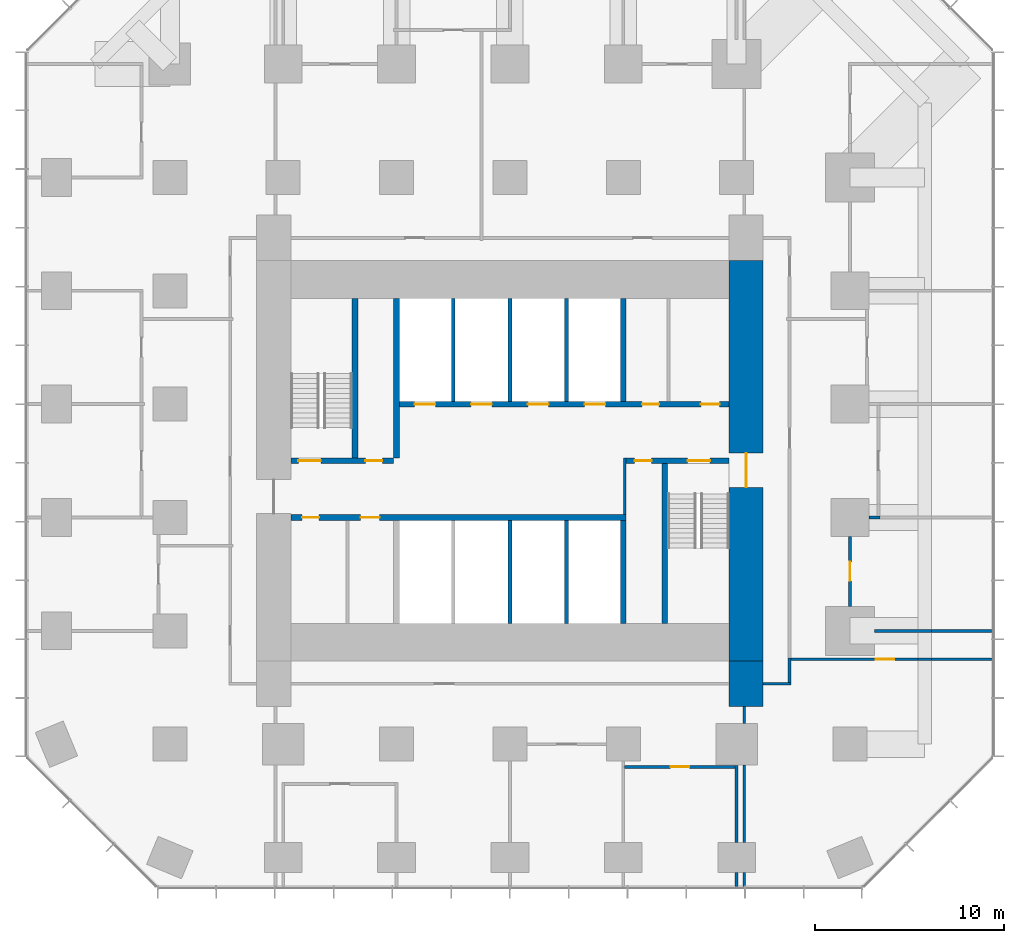
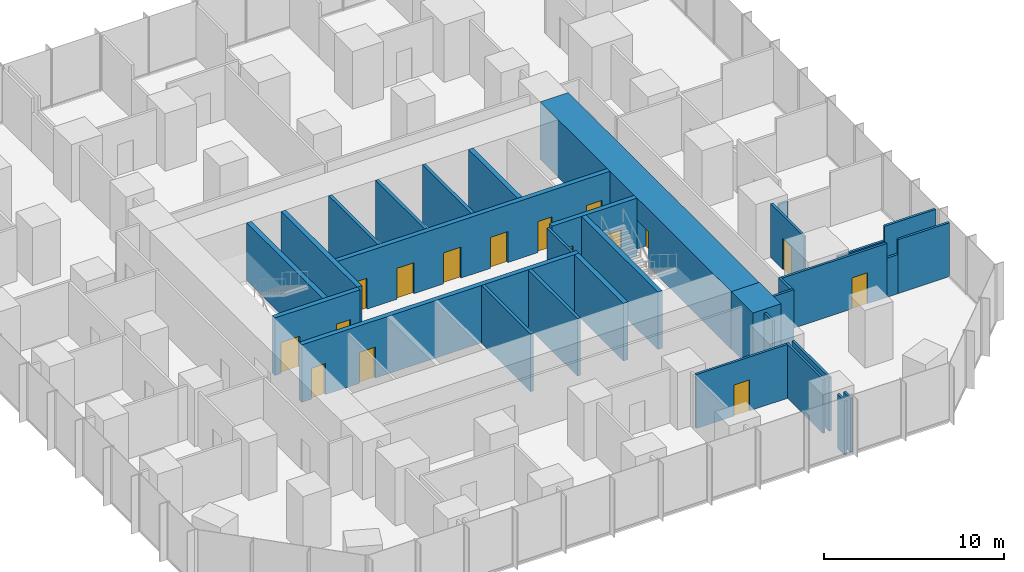
# One storey, part 9 of 12: 32 walls, 16 doors, 16 openings.
"""IFC4 building model written with IfcOpenShell, lengths in metres."""

from ifc_helpers import new_model, si_unit, direction, frame, frame_2d, origin, place, context, subcontext, project, spatial, rectangle, extrude, material, layer, layer_set, type_object, element, fill, save


model = new_model("IFC4")

# Units and contexts
model_context = context("Model", 3, precision=1e-05, world=origin(), true_north=direction((0.0, 1.0)))
body_context = subcontext(model_context, "Body", "Model", "MODEL_VIEW")
ifc_project = project(units=[si_unit("LENGTHUNIT", "METRE"), si_unit("AREAUNIT", "SQUARE_METRE"), si_unit("VOLUMEUNIT", "CUBIC_METRE"), si_unit("PLANEANGLEUNIT", "RADIAN"), si_unit("MASSUNIT", "GRAM", prefix="KILO")], contexts=[model_context])

# Site, building, storey
site_placement = place(None, origin())
site = spatial("IfcSite", under=ifc_project, at=site_placement, CompositionType="ELEMENT")
building_placement = place(site_placement, origin())
building = spatial("IfcBuilding", under=site, at=building_placement, Name="Highveld Stack Headquarters", CompositionType="ELEMENT")
storey_placement = place(building_placement, frame((0.0, 0.0, 68.89990234375)))
storey = spatial("IfcBuildingStorey", under=building, at=storey_placement, Name="L16", CompositionType="ELEMENT", Elevation=68.89990234375)

# Wall, opening, door
ifc_material_1 = material(Name="Concrete C60/75", Category="concrete")
ifc_layer_1 = layer(ifc_material_1, 1.800048828125)
ifc_layer_set_1 = layer_set([ifc_layer_1], Name="Concrete C60/75")
wall_type_1 = type_object("IfcWallType", Name="CORE WALL 1800 C60/75", PredefinedType="SHEAR", material=ifc_layer_set_1)
wall_1_placement = place(storey_placement, frame((18.5, -7.60009765625, 0.0), z_axis=(0.0, 0.0, 1.0), x_axis=(0.0, 1.0, 0.0)))
wall_1 = element("IfcWall", 1, at=wall_1_placement, inside=storey, type_object=wall_type_1, Name="Core wall E L16", PredefinedType="SHEAR", context=body_context, shape_type="SweptSolid", body=[
    extrude(rectangle(XDim=21.2001953125, YDim=1.800048828125, at=frame_2d((10.60009765625, 0.0))), origin(), (0.0, 0.0, 1.0), 3.900146484375),
])
opening_1_placement = place(wall_1_placement, frame((9.199951171875, 0.0, 0.0)))
opening_1 = element("IfcOpeningElement", 2, at=opening_1_placement, cuts=wall_1, Name="Opening L16-02", PredefinedType="OPENING", context=body_context, shape_type="SweptSolid", body=[
    extrude(rectangle(XDim=1.800048828125, YDim=2.39990234375, at=frame_2d((0.89990234375, 1.199951171875))), frame((0.0, 0.909912109375, 0.0), z_axis=(0.0, -1.0, 0.0), x_axis=(1.0, 0.0, 0.0)), (0.0, 0.0, 1.0), 1.820068359375),
])
ifc_material_2 = material(Name="Steel fire door", Category="steel")
door_type_1 = type_object("IfcDoorType", Name="LOBBY FIRE DOOR D4 1800x2400", OperationType="DOUBLE_DOOR_SINGLE_SWING", PredefinedType="DOOR", material=ifc_material_2)
door_1_placement = place(opening_1_placement, origin())
door_1 = element("IfcDoor", 3, at=door_1_placement, inside=storey, type_object=door_type_1, Name="Core east door L16", OperationType="DOUBLE_DOOR_SINGLE_SWING", OverallHeight=2.39990234375, OverallWidth=1.800048828125, PredefinedType="DOOR", context=body_context, shape_type="SweptSolid", body=[
    extrude(rectangle(XDim=1.800048828125, YDim=2.39990234375, at=frame_2d((0.89990234375, 1.199951171875))), frame((0.0, 0.02490234375, 0.0), z_axis=(0.0, -1.0, 0.0), x_axis=(1.0, 0.0, 0.0)), (0.0, 0.0, 1.0), 0.050048828125),
])
fill(opening_1, door_1)

# Wall, openings, doors
ifc_material_3 = material(Name="Concrete C60/75", Category="concrete")
ifc_layer_2 = layer(ifc_material_3, 0.300048828125)
ifc_layer_set_2 = layer_set([ifc_layer_2], Name="Concrete C60/75")
wall_type_2 = type_object("IfcWallType", Name="CORE WALL 300 C60/75", PredefinedType="SHEAR", material=ifc_layer_set_2)
wall_2_placement = place(storey_placement, frame((-5.60009765625, 0.0, 0.0), z_axis=(0.0, 0.0, 1.0), x_axis=(1.0, 0.0, 0.0)))
wall_2 = element("IfcWall", 4, at=wall_2_placement, inside=storey, type_object=wall_type_2, Name="Core wall I-Y0 L16", PredefinedType="SHEAR", context=body_context, shape_type="SweptSolid", body=[
    extrude(rectangle(XDim=17.75, YDim=0.300048828125, at=frame_2d((8.875, 0.0))), origin(), (0.0, 0.0, 1.0), 3.900146484375),
])
opening_2_placement = place(wall_2_placement, frame((0.60009765625, 0.0, 0.0)))
opening_2 = element("IfcOpeningElement", 5, at=opening_2_placement, cuts=wall_2, Name="Opening L16-07", PredefinedType="OPENING", context=body_context, shape_type="SweptSolid", body=[
    extrude(rectangle(XDim=0.89990234375, YDim=2.10009765625, at=frame_2d((0.449951171875, 1.050048828125))), frame((0.0, 0.159912109375, 0.0), z_axis=(0.0, -1.0, 0.0), x_axis=(1.0, 0.0, 0.0)), (0.0, 0.0, 1.0), 0.320068359375),
])
opening_3_placement = place(wall_2_placement, frame((3.699951171875, 0.0, 0.0)))
opening_3 = element("IfcOpeningElement", 6, at=opening_3_placement, cuts=wall_2, Name="Opening L16-08", PredefinedType="OPENING", context=body_context, shape_type="SweptSolid", body=[
    extrude(rectangle(XDim=1.0, YDim=2.10009765625, at=frame_2d((0.5, 1.050048828125))), frame((0.0, 0.159912109375, 0.0), z_axis=(0.0, -1.0, 0.0), x_axis=(1.0, 0.0, 0.0)), (0.0, 0.0, 1.0), 0.320068359375),
])
ifc_material_4 = material(Name="Steel fire door", Category="steel")
door_type_2 = type_object("IfcDoorType", Name="CORE ROOM FIRE DOOR D14 1000x2100", OperationType="SINGLE_SWING_LEFT", PredefinedType="DOOR", material=ifc_material_4)
door_2_placement = place(opening_3_placement, origin())
door_2 = element("IfcDoor", 7, at=door_2_placement, inside=storey, type_object=door_type_2, Name="Cleaners store door L16", OperationType="SINGLE_SWING_LEFT", OverallHeight=2.10009765625, OverallWidth=1.0, PredefinedType="DOOR", context=body_context, shape_type="SweptSolid", body=[
    extrude(rectangle(XDim=1.0, YDim=2.10009765625, at=frame_2d((0.5, 1.050048828125))), frame((0.0, 0.02490234375, 0.0), z_axis=(0.0, -1.0, 0.0), x_axis=(1.0, 0.0, 0.0)), (0.0, 0.0, 1.0), 0.050048828125),
])
fill(opening_3, door_2)
ifc_material_5 = material(Name="Timber door, painted", Category="wood")
door_type_3 = type_object("IfcDoorType", Name="WC DOOR D1 900x2100", OperationType="SINGLE_SWING_LEFT", PredefinedType="DOOR", material=ifc_material_5)
door_3_placement = place(opening_2_placement, origin())
door_3 = element("IfcDoor", 8, at=door_3_placement, inside=storey, type_object=door_type_3, Name="Female WC door L16", OperationType="SINGLE_SWING_LEFT", OverallHeight=2.10009765625, OverallWidth=0.89990234375, PredefinedType="DOOR", context=body_context, shape_type="SweptSolid", body=[
    extrude(rectangle(XDim=0.89990234375, YDim=2.10009765625, at=frame_2d((0.449951171875, 1.050048828125))), frame((0.0, 0.02490234375, 0.0), z_axis=(0.0, -1.0, 0.0), x_axis=(1.0, 0.0, 0.0)), (0.0, 0.0, 1.0), 0.050048828125),
])
fill(opening_2, door_3)

wall_3_placement = place(storey_placement, frame((-5.60009765625, 3.0, 0.0), z_axis=(0.0, 0.0, 1.0), x_axis=(1.0, 0.0, 0.0)))
wall_3 = element("IfcWall", 9, at=wall_3_placement, inside=storey, type_object=wall_type_2, Name="Core wall I-Y3W L16", PredefinedType="SHEAR", context=body_context, shape_type="SweptSolid", body=[
    extrude(rectangle(XDim=5.4501953125, YDim=0.300048828125, at=frame_2d((2.72509765625, 0.0))), origin(), (0.0, 0.0, 1.0), 3.900146484375),
])
opening_4_placement = place(wall_3_placement, frame((0.39990234375, 0.0, 0.0)))
opening_4 = element("IfcOpeningElement", 10, at=opening_4_placement, cuts=wall_3, Name="Opening L16-03", PredefinedType="OPENING", context=body_context, shape_type="SweptSolid", body=[
    extrude(rectangle(XDim=1.199951171875, YDim=2.10009765625, at=frame_2d((0.60009765625, 1.050048828125))), frame((0.0, 0.159912109375, 0.0), z_axis=(0.0, -1.0, 0.0), x_axis=(1.0, 0.0, 0.0)), (0.0, 0.0, 1.0), 0.320068359375),
])
opening_5_placement = place(wall_3_placement, frame((3.949951171875, 0.0, 0.0)))
opening_5 = element("IfcOpeningElement", 11, at=opening_5_placement, cuts=wall_3, Name="Opening L16-04", PredefinedType="OPENING", context=body_context, shape_type="SweptSolid", body=[
    extrude(rectangle(XDim=0.89990234375, YDim=2.10009765625, at=frame_2d((0.449951171875, 1.050048828125))), frame((0.0, 0.159912109375, 0.0), z_axis=(0.0, -1.0, 0.0), x_axis=(1.0, 0.0, 0.0)), (0.0, 0.0, 1.0), 0.320068359375),
])
ifc_material_6 = material(Name="Steel fire door", Category="steel")
door_type_4 = type_object("IfcDoorType", Name="RISER ACCESS DOOR D5 900x2100", OperationType="SINGLE_SWING_LEFT", PredefinedType="DOOR", material=ifc_material_6)
door_4_placement = place(opening_5_placement, origin())
door_4 = element("IfcDoor", 12, at=door_4_placement, inside=storey, type_object=door_type_4, Name="Riser R1 door L16", OperationType="SINGLE_SWING_RIGHT", OverallHeight=2.10009765625, OverallWidth=0.89990234375, PredefinedType="DOOR", context=body_context, shape_type="SweptSolid", body=[
    extrude(rectangle(XDim=0.89990234375, YDim=2.10009765625, at=frame_2d((0.449951171875, 1.050048828125))), frame((0.0, 0.02490234375, 0.0), z_axis=(0.0, -1.0, 0.0), x_axis=(1.0, 0.0, 0.0)), (0.0, 0.0, 1.0), 0.050048828125),
])
fill(opening_5, door_4)
ifc_material_7 = material(Name="Steel fire door", Category="steel")
door_type_5 = type_object("IfcDoorType", Name="STAIR FIRE DOOR D3 1200x2100", OperationType="SINGLE_SWING_LEFT", PredefinedType="DOOR", material=ifc_material_7)
door_5_placement = place(opening_4_placement, origin())
door_5 = element("IfcDoor", 13, at=door_5_placement, inside=storey, type_object=door_type_5, Name="Stair S1 door L16", OperationType="SINGLE_SWING_LEFT", OverallHeight=2.10009765625, OverallWidth=1.199951171875, PredefinedType="DOOR", context=body_context, shape_type="SweptSolid", body=[
    extrude(rectangle(XDim=1.199951171875, YDim=2.10009765625, at=frame_2d((0.60009765625, 1.050048828125))), frame((0.0, 0.02490234375, 0.0), z_axis=(0.0, -1.0, 0.0), x_axis=(1.0, 0.0, 0.0)), (0.0, 0.0, 1.0), 0.050048828125),
])
fill(opening_4, door_5)

wall_4_placement = place(storey_placement, frame((12.14990234375, 3.0, 0.0), z_axis=(0.0, 0.0, 1.0), x_axis=(1.0, 0.0, 0.0)))
wall_4 = element("IfcWall", 14, at=wall_4_placement, inside=storey, type_object=wall_type_2, Name="Core wall I-Y3E L16", PredefinedType="SHEAR", context=body_context, shape_type="SweptSolid", body=[
    extrude(rectangle(XDim=5.4501953125, YDim=0.300048828125, at=frame_2d((2.72509765625, 0.0))), origin(), (0.0, 0.0, 1.0), 3.900146484375),
])
opening_6_placement = place(wall_4_placement, frame((3.25, 0.0, 0.0)))
opening_6 = element("IfcOpeningElement", 15, at=opening_6_placement, cuts=wall_4, Name="Opening L16-05", PredefinedType="OPENING", context=body_context, shape_type="SweptSolid", body=[
    extrude(rectangle(XDim=1.199951171875, YDim=2.10009765625, at=frame_2d((0.60009765625, 1.050048828125))), frame((0.0, 0.159912109375, 0.0), z_axis=(0.0, -1.0, 0.0), x_axis=(1.0, 0.0, 0.0)), (0.0, 0.0, 1.0), 0.320068359375),
])
opening_7_placement = place(wall_4_placement, frame((0.449951171875, 0.0, 0.0)))
opening_7 = element("IfcOpeningElement", 16, at=opening_7_placement, cuts=wall_4, Name="Opening L16-06", PredefinedType="OPENING", context=body_context, shape_type="SweptSolid", body=[
    extrude(rectangle(XDim=0.89990234375, YDim=2.10009765625, at=frame_2d((0.449951171875, 1.050048828125))), frame((0.0, 0.159912109375, 0.0), z_axis=(0.0, -1.0, 0.0), x_axis=(1.0, 0.0, 0.0)), (0.0, 0.0, 1.0), 0.320068359375),
])
door_6_placement = place(opening_7_placement, origin())
door_6 = element("IfcDoor", 17, at=door_6_placement, inside=storey, type_object=door_type_4, Name="Riser R2 door L16", OperationType="SINGLE_SWING_LEFT", OverallHeight=2.10009765625, OverallWidth=0.89990234375, PredefinedType="DOOR", context=body_context, shape_type="SweptSolid", body=[
    extrude(rectangle(XDim=0.89990234375, YDim=2.10009765625, at=frame_2d((0.449951171875, 1.050048828125))), frame((0.0, 0.02490234375, 0.0), z_axis=(0.0, -1.0, 0.0), x_axis=(1.0, 0.0, 0.0)), (0.0, 0.0, 1.0), 0.050048828125),
])
fill(opening_7, door_6)
door_7_placement = place(opening_6_placement, origin())
door_7 = element("IfcDoor", 18, at=door_7_placement, inside=storey, type_object=door_type_5, Name="Stair S2 door L16", OperationType="SINGLE_SWING_RIGHT", OverallHeight=2.10009765625, OverallWidth=1.199951171875, PredefinedType="DOOR", context=body_context, shape_type="SweptSolid", body=[
    extrude(rectangle(XDim=1.199951171875, YDim=2.10009765625, at=frame_2d((0.60009765625, 1.050048828125))), frame((0.0, 0.02490234375, 0.0), z_axis=(0.0, -1.0, 0.0), x_axis=(1.0, 0.0, 0.0)), (0.0, 0.0, 1.0), 0.050048828125),
])
fill(opening_6, door_7)

wall_5_placement = place(storey_placement, frame((-0.14990234375, 6.0, 0.0), z_axis=(0.0, 0.0, 1.0), x_axis=(1.0, 0.0, 0.0)))
wall_5 = element("IfcWall", 19, at=wall_5_placement, inside=storey, type_object=wall_type_2, Name="Core wall I-Y6 L16", PredefinedType="SHEAR", context=body_context, shape_type="SweptSolid", body=[
    extrude(rectangle(XDim=17.75, YDim=0.300048828125, at=frame_2d((8.875, 0.0))), origin(), (0.0, 0.0, 1.0), 3.900146484375),
])
opening_8_placement = place(wall_5_placement, frame((13.14990234375, 0.0, 0.0)))
opening_8 = element("IfcOpeningElement", 20, at=opening_8_placement, cuts=wall_5, Name="Opening L16-09", PredefinedType="OPENING", context=body_context, shape_type="SweptSolid", body=[
    extrude(rectangle(XDim=0.89990234375, YDim=2.10009765625, at=frame_2d((0.449951171875, 1.050048828125))), frame((0.0, 0.159912109375, 0.0), z_axis=(0.0, -1.0, 0.0), x_axis=(1.0, 0.0, 0.0)), (0.0, 0.0, 1.0), 0.320068359375),
])
opening_9_placement = place(wall_5_placement, frame((16.25, 0.0, 0.0)))
opening_9 = element("IfcOpeningElement", 21, at=opening_9_placement, cuts=wall_5, Name="Opening L16-10", PredefinedType="OPENING", context=body_context, shape_type="SweptSolid", body=[
    extrude(rectangle(XDim=1.0, YDim=2.10009765625, at=frame_2d((0.5, 1.050048828125))), frame((0.0, 0.159912109375, 0.0), z_axis=(0.0, -1.0, 0.0), x_axis=(1.0, 0.0, 0.0)), (0.0, 0.0, 1.0), 0.320068359375),
])
opening_10_placement = place(wall_5_placement, frame((1.10009765625, 0.0, 0.0)))
opening_10 = element("IfcOpeningElement", 22, at=opening_10_placement, cuts=wall_5, Name="Opening LD", PredefinedType="OPENING", context=body_context, shape_type="SweptSolid", body=[
    extrude(rectangle(XDim=1.10009765625, YDim=2.10009765625, at=frame_2d((0.550048828125, 1.050048828125))), frame((0.0, 0.159912109375, 0.0), z_axis=(0.0, -1.0, 0.0), x_axis=(1.0, 0.0, 0.0)), (0.0, 0.0, 1.0), 0.320068359375),
])
opening_11_placement = place(wall_5_placement, frame((4.10009765625, 0.0, 0.0)))
opening_11 = element("IfcOpeningElement", 23, at=opening_11_placement, cuts=wall_5, Name="Opening LD", PredefinedType="OPENING", context=body_context, shape_type="SweptSolid", body=[
    extrude(rectangle(XDim=1.10009765625, YDim=2.10009765625, at=frame_2d((0.550048828125, 1.050048828125))), frame((0.0, 0.159912109375, 0.0), z_axis=(0.0, -1.0, 0.0), x_axis=(1.0, 0.0, 0.0)), (0.0, 0.0, 1.0), 0.320068359375),
])
opening_12_placement = place(wall_5_placement, frame((7.10009765625, 0.0, 0.0)))
opening_12 = element("IfcOpeningElement", 24, at=opening_12_placement, cuts=wall_5, Name="Opening LD", PredefinedType="OPENING", context=body_context, shape_type="SweptSolid", body=[
    extrude(rectangle(XDim=1.10009765625, YDim=2.10009765625, at=frame_2d((0.550048828125, 1.050048828125))), frame((0.0, 0.159912109375, 0.0), z_axis=(0.0, -1.0, 0.0), x_axis=(1.0, 0.0, 0.0)), (0.0, 0.0, 1.0), 0.320068359375),
])
opening_13_placement = place(wall_5_placement, frame((10.10009765625, 0.0, 0.0)))
opening_13 = element("IfcOpeningElement", 25, at=opening_13_placement, cuts=wall_5, Name="Opening LD", PredefinedType="OPENING", context=body_context, shape_type="SweptSolid", body=[
    extrude(rectangle(XDim=1.10009765625, YDim=2.10009765625, at=frame_2d((0.550048828125, 1.050048828125))), frame((0.0, 0.159912109375, 0.0), z_axis=(0.0, -1.0, 0.0), x_axis=(1.0, 0.0, 0.0)), (0.0, 0.0, 1.0), 0.320068359375),
])
ifc_material_8 = material(Name="Timber door, painted", Category="wood")
door_type_6 = type_object("IfcDoorType", Name="ACCESSIBLE WC DOOR D2 1000x2100", OperationType="SINGLE_SWING_RIGHT", PredefinedType="DOOR", material=ifc_material_8)
door_8_placement = place(opening_9_placement, origin())
door_8 = element("IfcDoor", 26, at=door_8_placement, inside=storey, type_object=door_type_6, Name="Accessible WC door L16", OperationType="SINGLE_SWING_RIGHT", OverallHeight=2.10009765625, OverallWidth=1.0, PredefinedType="DOOR", context=body_context, shape_type="SweptSolid", body=[
    extrude(rectangle(XDim=1.0, YDim=2.10009765625, at=frame_2d((0.5, 1.050048828125))), frame((0.0, 0.02490234375, 0.0), z_axis=(0.0, -1.0, 0.0), x_axis=(1.0, 0.0, 0.0)), (0.0, 0.0, 1.0), 0.050048828125),
])
fill(opening_9, door_8)
ifc_material_9 = material(Name="Stainless steel lift landing door", Category="steel")
door_type_7 = type_object("IfcDoorType", Name="LIFT LANDING DOOR LD 1100x2100", OperationType="DOUBLE_DOOR_SLIDING", PredefinedType="USERDEFINED", material=ifc_material_9)
door_9_placement = place(opening_10_placement, origin())
door_9 = element("IfcDoor", 27, at=door_9_placement, inside=storey, type_object=door_type_7, Name="Lift landing door FF1 L16", ObjectType="LIFT LANDING DOOR", OperationType="DOUBLE_DOOR_SLIDING", OverallHeight=2.10009765625, OverallWidth=1.10009765625, PredefinedType="USERDEFINED", context=body_context, shape_type="SweptSolid", body=[
    extrude(rectangle(XDim=1.10009765625, YDim=2.10009765625, at=frame_2d((0.550048828125, 1.050048828125))), frame((0.0, 0.02490234375, 0.0), z_axis=(0.0, -1.0, 0.0), x_axis=(1.0, 0.0, 0.0)), (0.0, 0.0, 1.0), 0.050048828125),
])
fill(opening_10, door_9)
door_10_placement = place(opening_11_placement, origin())
door_10 = element("IfcDoor", 28, at=door_10_placement, inside=storey, type_object=door_type_7, Name="Lift landing door FF2 L16", ObjectType="LIFT LANDING DOOR", OperationType="DOUBLE_DOOR_SLIDING", OverallHeight=2.10009765625, OverallWidth=1.10009765625, PredefinedType="USERDEFINED", context=body_context, shape_type="SweptSolid", body=[
    extrude(rectangle(XDim=1.10009765625, YDim=2.10009765625, at=frame_2d((0.550048828125, 1.050048828125))), frame((0.0, 0.02490234375, 0.0), z_axis=(0.0, -1.0, 0.0), x_axis=(1.0, 0.0, 0.0)), (0.0, 0.0, 1.0), 0.050048828125),
])
fill(opening_11, door_10)
door_11_placement = place(opening_12_placement, origin())
door_11 = element("IfcDoor", 29, at=door_11_placement, inside=storey, type_object=door_type_7, Name="Lift landing door A1 L16", ObjectType="LIFT LANDING DOOR", OperationType="DOUBLE_DOOR_SLIDING", OverallHeight=2.10009765625, OverallWidth=1.10009765625, PredefinedType="USERDEFINED", context=body_context, shape_type="SweptSolid", body=[
    extrude(rectangle(XDim=1.10009765625, YDim=2.10009765625, at=frame_2d((0.550048828125, 1.050048828125))), frame((0.0, 0.02490234375, 0.0), z_axis=(0.0, -1.0, 0.0), x_axis=(1.0, 0.0, 0.0)), (0.0, 0.0, 1.0), 0.050048828125),
])
fill(opening_12, door_11)
door_12_placement = place(opening_13_placement, origin())
door_12 = element("IfcDoor", 30, at=door_12_placement, inside=storey, type_object=door_type_7, Name="Lift landing door A2 L16", ObjectType="LIFT LANDING DOOR", OperationType="DOUBLE_DOOR_SLIDING", OverallHeight=2.10009765625, OverallWidth=1.10009765625, PredefinedType="USERDEFINED", context=body_context, shape_type="SweptSolid", body=[
    extrude(rectangle(XDim=1.10009765625, YDim=2.10009765625, at=frame_2d((0.550048828125, 1.050048828125))), frame((0.0, 0.02490234375, 0.0), z_axis=(0.0, -1.0, 0.0), x_axis=(1.0, 0.0, 0.0)), (0.0, 0.0, 1.0), 0.050048828125),
])
fill(opening_13, door_12)
door_13_placement = place(opening_8_placement, origin())
door_13 = element("IfcDoor", 31, at=door_13_placement, inside=storey, type_object=door_type_3, Name="Male WC door L16", OperationType="SINGLE_SWING_RIGHT", OverallHeight=2.10009765625, OverallWidth=0.89990234375, PredefinedType="DOOR", context=body_context, shape_type="SweptSolid", body=[
    extrude(rectangle(XDim=0.89990234375, YDim=2.10009765625, at=frame_2d((0.449951171875, 1.050048828125))), frame((0.0, 0.02490234375, 0.0), z_axis=(0.0, -1.0, 0.0), x_axis=(1.0, 0.0, 0.0)), (0.0, 0.0, 1.0), 0.050048828125),
])
fill(opening_8, door_13)

# Walls
wall_6_placement = place(storey_placement, frame((0.0, 3.14990234375, 0.0), z_axis=(0.0, 0.0, 1.0), x_axis=(0.0, 1.0, 0.0)))
element("IfcWall", 32, at=wall_6_placement, inside=storey, type_object=wall_type_2, Name="Core wall I-X0N L16", PredefinedType="SHEAR", context=body_context, shape_type="SweptSolid", body=[
    extrude(rectangle(XDim=8.4501953125, YDim=0.300048828125, at=frame_2d((4.22509765625, 0.0))), origin(), (0.0, 0.0, 1.0), 3.900146484375),
])
for number, where, z_axis, x_axis, name in (
    (33, (12.0, -5.60009765625, 0.0), (0.0, 0.0, 1.0), (0.0, 1.0, 0.0), "Core wall I-X12S L16"),
    (34, (12.0, 6.14990234375, 0.0), (0.0, 0.0, 1.0), (0.0, 1.0, 0.0), "Core wall I-X12N L16"),
):
    element("IfcWall", number, at=place(storey_placement, frame(where, z_axis=z_axis, x_axis=x_axis)), inside=storey, type_object=wall_type_2, Name=name, PredefinedType="SHEAR", context=body_context, shape_type="SweptSolid", body=[
        extrude(rectangle(XDim=5.4501953125, YDim=0.300048828125, at=frame_2d((2.72509765625, 0.0))), origin(), (0.0, 0.0, 1.0), 3.900146484375),
    ])
for number, where, z_axis, x_axis, name in (
    (35, (-2.199951171875, 3.14990234375, 0.0), (0.0, 0.0, 1.0), (0.0, 1.0, 0.0), "Core wall I-RW L16"),
    (36, (14.199951171875, -5.60009765625, 0.0), (0.0, 0.0, 1.0), (0.0, 1.0, 0.0), "Core wall I-RE L16"),
):
    element("IfcWall", number, at=place(storey_placement, frame(where, z_axis=z_axis, x_axis=x_axis)), inside=storey, type_object=wall_type_2, Name=name, PredefinedType="SHEAR", context=body_context, shape_type="SweptSolid", body=[
        extrude(rectangle(XDim=8.4501953125, YDim=0.300048828125, at=frame_2d((4.22509765625, 0.0))), origin(), (0.0, 0.0, 1.0), 3.900146484375),
    ])
ifc_material_10 = material(Name="Concrete C60/75", Category="concrete")
ifc_layer_3 = layer(ifc_material_10, 1.800048828125)
ifc_layer_set_3 = layer_set([ifc_layer_3], Name="Concrete C60/75")
wall_type_3 = type_object("IfcWallType", Name="CORE WING WALL 1800 C60/75", PredefinedType="SHEAR", material=ifc_layer_set_3)
wall_7_placement = place(storey_placement, frame((18.5, -10.0, 0.0), z_axis=(0.0, 0.0, 1.0), x_axis=(0.0, 1.0, 0.0)))
element("IfcWall", 37, at=wall_7_placement, inside=storey, type_object=wall_type_3, Name="Core wing wall ES L16", PredefinedType="SHEAR", context=body_context, shape_type="SweptSolid", body=[
    extrude(rectangle(XDim=2.39990234375, YDim=1.800048828125, at=frame_2d((1.199951171875, 0.0))), origin(), (0.0, 0.0, 1.0), 3.900146484375),
])
ifc_material_11 = material(Name="Concrete blockwork, plastered", Category="masonry")
ifc_layer_4 = layer(ifc_material_11, 0.14990234375)
ifc_layer_set_4 = layer_set([ifc_layer_4], Name="Concrete blockwork, plastered")
wall_type_4 = type_object("IfcWallType", Name="FIRE PARTITION 150 BLOCKWORK", PredefinedType="PARTITIONING", material=ifc_layer_set_4)
wall_8_placement = place(storey_placement, frame((12.074951171875, 0.14990234375, 0.0), z_axis=(0.0, 0.0, 1.0), x_axis=(0.0, 1.0, 0.0)))
element("IfcWall", 38, at=wall_8_placement, inside=storey, type_object=wall_type_4, Name="Riser R2 enclosure L16", PredefinedType="PARTITIONING", context=body_context, shape_type="SweptSolid", body=[
    extrude(rectangle(XDim=3.0, YDim=0.14990234375, at=frame_2d((1.5, 0.0))), origin(), (0.0, 0.0, 1.0), 3.650146484375),
])

# Wall, opening, door
ifc_material_12 = material(Name="Laminated glass in aluminium frame", Category="aluminium")
ifc_layer_5 = layer(ifc_material_12, 0.14990234375)
ifc_layer_set_5 = layer_set([ifc_layer_5], Name="Laminated glass in aluminium frame")
wall_type_5 = type_object("IfcWallType", Name="GLAZED PARTITION 150", PredefinedType="PARTITIONING", material=ifc_layer_set_5)
wall_9_placement = place(storey_placement, frame((24.0, -4.699951171875, 0.0), z_axis=(0.0, 0.0, 1.0), x_axis=(0.0, 1.0, 0.0)))
wall_9 = element("IfcWall", 39, at=wall_9_placement, inside=storey, type_object=wall_type_5, Name="Glazed partition Meeting room L16", PredefinedType="PARTITIONING", context=body_context, shape_type="SweptSolid", body=[
    extrude(rectangle(XDim=3.699951171875, YDim=0.14990234375, at=frame_2d((1.85009765625, 0.0))), origin(), (0.0, 0.0, 1.0), 3.650146484375),
])
opening_14_placement = place(wall_9_placement, frame((1.35009765625, 0.0, 0.0)))
opening_14 = element("IfcOpeningElement", 40, at=opening_14_placement, cuts=wall_9, Name="Opening L16-18", PredefinedType="OPENING", context=body_context, shape_type="SweptSolid", body=[
    extrude(rectangle(XDim=1.0, YDim=2.10009765625, at=frame_2d((0.5, 1.050048828125))), frame((0.0, 0.0849609375, 0.0), z_axis=(0.0, -1.0, 0.0), x_axis=(1.0, 0.0, 0.0)), (0.0, 0.0, 1.0), 0.169921875),
])
ifc_material_13 = material(Name="Timber door, oiled ash", Category="wood")
door_type_8 = type_object("IfcDoorType", Name="ROOM DOOR D6 1000x2100", OperationType="SINGLE_SWING_LEFT", PredefinedType="DOOR", material=ifc_material_13)
door_14_placement = place(opening_14_placement, origin())
door_14 = element("IfcDoor", 41, at=door_14_placement, inside=storey, type_object=door_type_8, Name="Meeting room door 1 L16", OperationType="SINGLE_SWING_RIGHT", OverallHeight=2.10009765625, OverallWidth=1.0, PredefinedType="DOOR", context=body_context, shape_type="SweptSolid", body=[
    extrude(rectangle(XDim=1.0, YDim=2.10009765625, at=frame_2d((0.5, 1.050048828125))), frame((0.0, 0.02490234375, 0.0), z_axis=(0.0, -1.0, 0.0), x_axis=(1.0, 0.0, 0.0)), (0.0, 0.0, 1.0), 0.050048828125),
])
fill(opening_14, door_14)

# Walls
ifc_material_14 = material(Name="Concrete blockwork, fair-faced", Category="masonry")
ifc_layer_6 = layer(ifc_material_14, 0.199951171875)
ifc_layer_set_6 = layer_set([ifc_layer_6], Name="Concrete blockwork, fair-faced")
wall_type_6 = type_object("IfcWallType", Name="LIFT SHAFT ENCLOSURE WALL 200 BLOCKWORK", PredefinedType="SOLIDWALL", material=ifc_layer_set_6)
for number, where, z_axis, x_axis, name in (
    (42, (3.0, 6.14990234375, 0.0), (0.0, 0.0, 1.0), (0.0, 1.0, 0.0), "Lift shaft wall L16"),
    (43, (6.0, 6.14990234375, 0.0), (0.0, 0.0, 1.0), (0.0, 1.0, 0.0), "Lift shaft wall L16"),
    (44, (9.0, 6.14990234375, 0.0), (0.0, 0.0, 1.0), (0.0, 1.0, 0.0), "Lift shaft wall L16"),
    (45, (6.0, -5.60009765625, 0.0), (0.0, 0.0, 1.0), (0.0, 1.0, 0.0), "Lift shaft wall L16"),
    (46, (9.0, -5.60009765625, 0.0), (0.0, 0.0, 1.0), (0.0, 1.0, 0.0), "Lift shaft wall L16"),
):
    element("IfcWall", number, at=place(storey_placement, frame(where, z_axis=z_axis, x_axis=x_axis)), inside=storey, type_object=wall_type_6, Name=name, PredefinedType="SOLIDWALL", context=body_context, shape_type="SweptSolid", body=[
        extrude(rectangle(XDim=5.4501953125, YDim=0.199951171875, at=frame_2d((2.72509765625, 0.0))), origin(), (0.0, 0.0, 1.0), 3.900146484375),
    ])

# Wall, opening, door
ifc_material_15 = material(Name="Gypsum plasterboard on steel studs", Category="steel")
ifc_layer_7 = layer(ifc_material_15, 0.14990234375)
ifc_layer_set_7 = layer_set([ifc_layer_7], Name="Gypsum plasterboard on steel studs")
wall_type_7 = type_object("IfcWallType", Name="PARTITION 150 PLASTERBOARD", PredefinedType="PARTITIONING", material=ifc_layer_set_7)
wall_10_placement = place(storey_placement, frame((12.074951171875, -13.199951171875, 0.0), z_axis=(0.0, 0.0, 1.0), x_axis=(1.0, 0.0, 0.0)))
wall_10 = element("IfcWall", 47, at=wall_10_placement, inside=storey, type_object=wall_type_7, Name="Partition Tea kitchen L16", PredefinedType="PARTITIONING", context=body_context, shape_type="SweptSolid", body=[
    extrude(rectangle(XDim=5.85009765625, YDim=0.14990234375, at=frame_2d((2.925048828125, 0.0))), origin(), (0.0, 0.0, 1.0), 3.650146484375),
])
opening_15_placement = place(wall_10_placement, frame((2.425048828125, 0.0, 0.0)))
opening_15 = element("IfcOpeningElement", 48, at=opening_15_placement, cuts=wall_10, Name="Opening L16-13", PredefinedType="OPENING", context=body_context, shape_type="SweptSolid", body=[
    extrude(rectangle(XDim=1.0, YDim=2.10009765625, at=frame_2d((0.5, 1.050048828125))), frame((0.0, 0.0849609375, 0.0), z_axis=(0.0, -1.0, 0.0), x_axis=(1.0, 0.0, 0.0)), (0.0, 0.0, 1.0), 0.169921875),
])
door_15_placement = place(opening_15_placement, origin())
door_15 = element("IfcDoor", 49, at=door_15_placement, inside=storey, type_object=door_type_8, Name="Tea kitchen door 1 L16", OperationType="SINGLE_SWING_RIGHT", OverallHeight=2.10009765625, OverallWidth=1.0, PredefinedType="DOOR", context=body_context, shape_type="SweptSolid", body=[
    extrude(rectangle(XDim=1.0, YDim=2.10009765625, at=frame_2d((0.5, 1.050048828125))), frame((0.0, 0.02490234375, 0.0), z_axis=(0.0, -1.0, 0.0), x_axis=(1.0, 0.0, 0.0)), (0.0, 0.0, 1.0), 0.050048828125),
])
fill(opening_15, door_15)

# Walls
wall_11_placement = place(storey_placement, frame((25.300048828125, -6.0, 0.0), z_axis=(0.0, 0.0, 1.0), x_axis=(1.0, 0.0, 0.0)))
element("IfcWall", 50, at=wall_11_placement, inside=storey, type_object=wall_type_7, Name="Partition Meeting room L16", PredefinedType="PARTITIONING", context=body_context, shape_type="SweptSolid", body=[
    extrude(rectangle(XDim=3.010009765625, YDim=0.14990234375, at=frame_2d((1.5048828125, 0.0))), origin(), (0.0, 0.0, 1.0), 2.650146484375),
])
wall_12_placement = place(storey_placement, frame((28.31005859375, -6.0, 0.0), z_axis=(0.0, 0.0, 1.0), x_axis=(1.0, 0.0, 0.0)))
element("IfcWall", 51, at=wall_12_placement, inside=storey, type_object=wall_type_7, Name="Partition Meeting room L16", PredefinedType="PARTITIONING", context=body_context, shape_type="SweptSolid", body=[
    extrude(rectangle(XDim=3.2900390625, YDim=0.14990234375, at=frame_2d((1.64501953125, 0.0))), origin(), (0.0, 0.0, 1.0), 3.650146484375),
])
wall_13_placement = place(storey_placement, frame((25.0, 0.0, 0.0), z_axis=(0.0, 0.0, 1.0), x_axis=(1.0, 0.0, 0.0)))
element("IfcWall", 52, at=wall_13_placement, inside=storey, type_object=wall_type_7, Name="Partition Meeting room L16", PredefinedType="PARTITIONING", context=body_context, shape_type="SweptSolid", body=[
    extrude(rectangle(XDim=0.574951171875, YDim=0.14990234375, at=frame_2d((0.28759765625, 0.0))), origin(), (0.0, 0.0, 1.0), 2.650146484375),
])
wall_14_placement = place(storey_placement, frame((18.0, -19.60009765625, 0.0), z_axis=(0.0, 0.0, 1.0), x_axis=(0.0, 1.0, 0.0)))
element("IfcWall", 53, at=wall_14_placement, inside=storey, type_object=wall_type_7, Name="Partition Tea kitchen L16", PredefinedType="PARTITIONING", context=body_context, shape_type="SweptSolid", body=[
    extrude(rectangle(XDim=0.800048828125, YDim=0.14990234375, at=frame_2d((0.39990234375, 0.0))), origin(), (0.0, 0.0, 1.0), 3.650146484375),
])
wall_15_placement = place(storey_placement, frame((18.0, -17.199951171875, 0.0), z_axis=(0.0, 0.0, 1.0), x_axis=(0.0, 1.0, 0.0)))
element("IfcWall", 54, at=wall_15_placement, inside=storey, type_object=wall_type_7, Name="Partition Tea kitchen L16", PredefinedType="PARTITIONING", context=body_context, shape_type="SweptSolid", body=[
    extrude(rectangle(XDim=4.074951171875, YDim=0.14990234375, at=frame_2d((2.03759765625, 0.0))), origin(), (0.0, 0.0, 1.0), 3.650146484375),
])
wall_16_placement = place(storey_placement, frame((18.39990234375, -19.550048828125, 0.0), z_axis=(0.0, 0.0, 1.0), x_axis=(0.0, 1.0, 0.0)))
element("IfcWall", 55, at=wall_16_placement, inside=storey, type_object=wall_type_7, Name="Partition office neighbourhood L16", PredefinedType="PARTITIONING", context=body_context, shape_type="SweptSolid", body=[
    extrude(rectangle(XDim=0.75, YDim=0.14990234375, at=frame_2d((0.375, 0.0))), origin(), (0.0, 0.0, 1.0), 3.650146484375),
])
wall_17_placement = place(storey_placement, frame((18.39990234375, -17.199951171875, 0.0), z_axis=(0.0, 0.0, 1.0), x_axis=(0.0, 1.0, 0.0)))
element("IfcWall", 56, at=wall_17_placement, inside=storey, type_object=wall_type_7, Name="Partition office neighbourhood L16", PredefinedType="PARTITIONING", context=body_context, shape_type="SweptSolid", body=[
    extrude(rectangle(XDim=4.099853515625, YDim=0.14990234375, at=frame_2d((2.0498046875, 0.0))), origin(), (0.0, 0.0, 1.0), 3.650146484375),
])
wall_18_placement = place(storey_placement, frame((18.39990234375, -10.89990234375, 0.0), z_axis=(0.0, 0.0, 1.0), x_axis=(0.0, 1.0, 0.0)))
element("IfcWall", 57, at=wall_18_placement, inside=storey, type_object=wall_type_7, Name="Partition office neighbourhood L16", PredefinedType="PARTITIONING", context=body_context, shape_type="SweptSolid", body=[
    extrude(rectangle(XDim=0.89990234375, YDim=0.14990234375, at=frame_2d((0.449951171875, 0.0))), origin(), (0.0, 0.0, 1.0), 3.650146484375),
])
wall_19_placement = place(storey_placement, frame((19.39990234375, -8.800048828125, 0.0), z_axis=(0.0, 0.0, 1.0), x_axis=(1.0, 0.0, 0.0)))
element("IfcWall", 58, at=wall_19_placement, inside=storey, type_object=wall_type_7, Name="Partition office neighbourhood L16", PredefinedType="PARTITIONING", context=body_context, shape_type="SweptSolid", body=[
    extrude(rectangle(XDim=1.47509765625, YDim=0.14990234375, at=frame_2d((0.737548828125, 0.0))), origin(), (0.0, 0.0, 1.0), 3.650146484375),
])
wall_20_placement = place(storey_placement, frame((20.800048828125, -8.72509765625, 0.0), z_axis=(0.0, 0.0, 1.0), x_axis=(0.0, 1.0, 0.0)))
element("IfcWall", 59, at=wall_20_placement, inside=storey, type_object=wall_type_7, Name="Partition office neighbourhood L16", PredefinedType="PARTITIONING", context=body_context, shape_type="SweptSolid", body=[
    extrude(rectangle(XDim=1.300048828125, YDim=0.14990234375, at=frame_2d((0.64990234375, 0.0))), origin(), (0.0, 0.0, 1.0), 3.650146484375),
])

# Wall, opening, door
wall_21_placement = place(storey_placement, frame((20.875, -7.5, 0.0), z_axis=(0.0, 0.0, 1.0), x_axis=(1.0, 0.0, 0.0)))
wall_21 = element("IfcWall", 60, at=wall_21_placement, inside=storey, type_object=wall_type_7, Name="Partition office neighbourhood L16", PredefinedType="PARTITIONING", context=body_context, shape_type="SweptSolid", body=[
    extrude(rectangle(XDim=6.715087890625, YDim=0.14990234375, at=frame_2d((3.357421875, 0.0))), origin(), (0.0, 0.0, 1.0), 3.650146484375),
])
opening_16_placement = place(wall_21_placement, frame((4.47509765625, 0.0, 0.0)))
opening_16 = element("IfcOpeningElement", 61, at=opening_16_placement, cuts=wall_21, Name="Opening L16-33", PredefinedType="OPENING", context=body_context, shape_type="SweptSolid", body=[
    extrude(rectangle(XDim=1.0, YDim=2.10009765625, at=frame_2d((0.5, 1.050048828125))), frame((0.0, 0.0849609375, 0.0), z_axis=(0.0, -1.0, 0.0), x_axis=(1.0, 0.0, 0.0)), (0.0, 0.0, 1.0), 0.169921875),
])
door_16_placement = place(opening_16_placement, origin())
door_16 = element("IfcDoor", 62, at=door_16_placement, inside=storey, type_object=door_type_8, Name="Office neighbourhood door L16", OperationType="SINGLE_SWING_RIGHT", OverallHeight=2.10009765625, OverallWidth=1.0, PredefinedType="DOOR", context=body_context, shape_type="SweptSolid", body=[
    extrude(rectangle(XDim=1.0, YDim=2.10009765625, at=frame_2d((0.5, 1.050048828125))), frame((0.0, 0.02490234375, 0.0), z_axis=(0.0, -1.0, 0.0), x_axis=(1.0, 0.0, 0.0)), (0.0, 0.0, 1.0), 0.050048828125),
])
fill(opening_16, door_16)

# Walls
wall_22_placement = place(storey_placement, frame((27.590087890625, -7.5, 0.0), z_axis=(0.0, 0.0, 1.0), x_axis=(1.0, 0.0, 0.0)))
element("IfcWall", 63, at=wall_22_placement, inside=storey, type_object=wall_type_7, Name="Partition office neighbourhood L16", PredefinedType="PARTITIONING", context=body_context, shape_type="SweptSolid", body=[
    extrude(rectangle(XDim=0.719970703125, YDim=0.14990234375, at=frame_2d((0.35986328125, 0.0))), origin(), (0.0, 0.0, 1.0), 2.650146484375),
])
wall_23_placement = place(storey_placement, frame((28.31005859375, -7.5, 0.0), z_axis=(0.0, 0.0, 1.0), x_axis=(1.0, 0.0, 0.0)))
element("IfcWall", 64, at=wall_23_placement, inside=storey, type_object=wall_type_7, Name="Partition office neighbourhood L16", PredefinedType="PARTITIONING", context=body_context, shape_type="SweptSolid", body=[
    extrude(rectangle(XDim=3.2900390625, YDim=0.14990234375, at=frame_2d((1.64501953125, 0.0))), origin(), (0.0, 0.0, 1.0), 3.650146484375),
])

save(model, "model.ifc")
